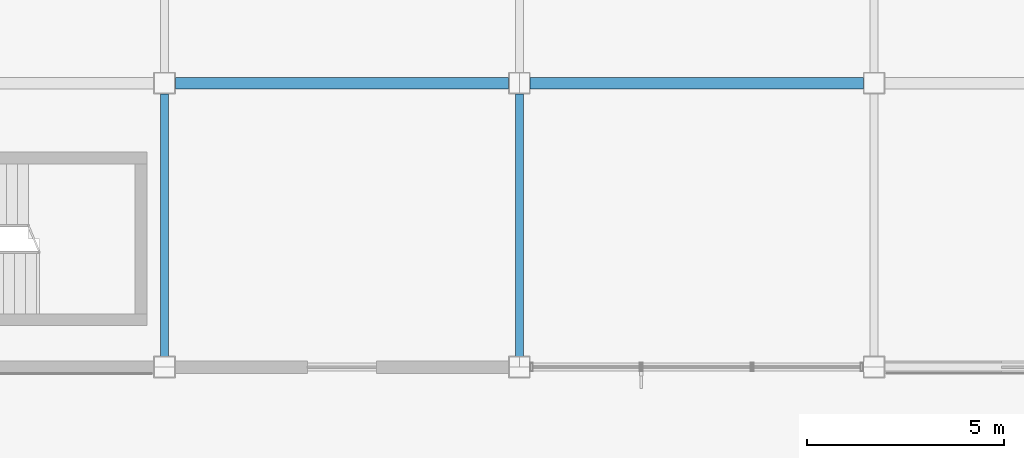
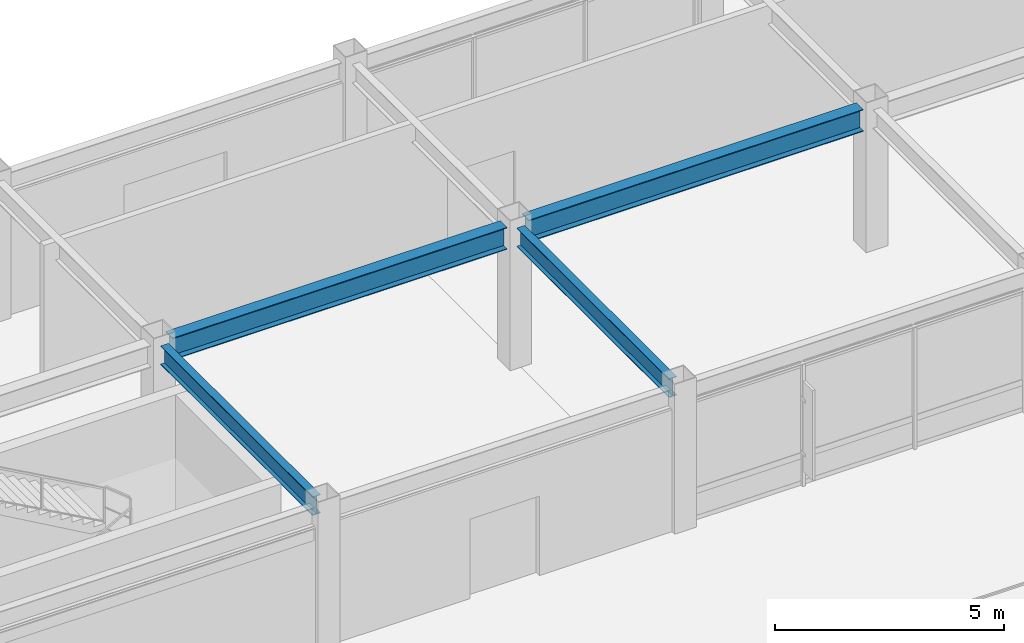
# One storey, part 39 of 122: 4 beams.
"""IFC4 building model written with IfcOpenShell, lengths in metres."""

import ifcopenshell
import ifcopenshell.guid

model = None  # the IFC model being written
_history = None  # IfcOwnerHistory: only IFC2X3 demands one
_inside = {}  # id of a spatial element -> (the spatial element, [elements in it])
_under = {}  # id of a project, library or spatial element -> (it, [spatial elements below it])
_declared = {}  # id of a project -> (the project, [libraries it declares])
_typed = {}  # id of a type object -> (the type object, [elements of that type])
_made_of = {}  # id of a material, layer set ... -> (it, [elements and type objects made of it])


def new_model(schema):
    """Start an empty IFC model of exactly this schema.

    Asked for "IFC4X3", IfcOpenShell would pick the latest addendum, in which some entities
    have other attributes; the version numbers below select the first issue.
    IFC2X3 requires an IfcOwnerHistory on every rooted entity: one is made here for all.
    """
    global model, _history
    if schema == "IFC4X3":
        model = ifcopenshell.file(schema_version=(4, 3, 0, 0))
    else:
        model = ifcopenshell.file(schema=schema)
    _inside.clear()
    _under.clear()
    _declared.clear()
    _typed.clear()
    _made_of.clear()
    _history = None
    if model.schema == "IFC2X3":
        org = make("IfcOrganization", Name="unknown")
        user = make(
            "IfcPersonAndOrganization",
            ThePerson=make("IfcPerson", FamilyName="unknown"),
            TheOrganization=org,
        )
        app = make(
            "IfcApplication",
            ApplicationDeveloper=org,
            Version="unknown",
            ApplicationFullName="unknown",
            ApplicationIdentifier="unknown",
        )
        _history = make(
            "IfcOwnerHistory",
            OwningUser=user,
            OwningApplication=app,
            ChangeAction="ADDED",
            CreationDate=0,
        )
    return model


def make(cls, **values):
    """One entity of the class cls with the attributes given. An attribute that is None is left unset."""
    return model.create_entity(
        cls, **{name: value for name, value in values.items() if value is not None}
    )


def rooted(cls, **values):
    """An entity with a GlobalId (a new one), such as an element, a storey or a relation."""
    return make(cls, GlobalId=ifcopenshell.guid.new(), OwnerHistory=_history, **values)


def si_unit(unit_type, name, prefix=None):
    """IfcSIUnit, for example si_unit("LENGTHUNIT", "METRE", prefix="MILLI")."""
    return make("IfcSIUnit", UnitType=unit_type, Prefix=prefix, Name=name)


def assignment(units):
    """IfcUnitAssignment: the units of a project."""
    return None if units is None else make("IfcUnitAssignment", Units=units)


def point(xyz):
    """IfcCartesianPoint."""
    return None if xyz is None else make("IfcCartesianPoint", Coordinates=xyz)


def direction(xyz):
    """IfcDirection."""
    return None if xyz is None else make("IfcDirection", DirectionRatios=xyz)


def frame(location, z_axis=None, x_axis=None):
    """IfcAxis2Placement3D, a coordinate frame: its origin and axes. An axis left out is left unset."""
    return make(
        "IfcAxis2Placement3D",
        Location=point(location),
        Axis=direction(z_axis),
        RefDirection=direction(x_axis),
    )


def frame_2d(location, x_axis=None):
    """IfcAxis2Placement2D, a coordinate frame in the plane: its origin and x axis."""
    return make(
        "IfcAxis2Placement2D", Location=point(location), RefDirection=direction(x_axis)
    )


def origin():
    """The frame at (0, 0, 0) with its axes left unset."""
    return frame((0.0, 0.0, 0.0))


def origin_2d():
    """The frame at (0, 0) in the plane with its x axis left unset."""
    return frame_2d((0.0, 0.0))


def place(relative_to, where):
    """IfcLocalPlacement: puts the frame where relative to a parent placement (None: the world)."""
    return make(
        "IfcLocalPlacement", PlacementRelTo=relative_to, RelativePlacement=where
    )


def context(
    kind, dimensions, precision=None, world=None, true_north=None, identifier=None
):
    """IfcGeometricRepresentationContext, for example the 3D "Model" context."""
    return make(
        "IfcGeometricRepresentationContext",
        ContextIdentifier=identifier,
        ContextType=kind,
        CoordinateSpaceDimension=dimensions,
        Precision=precision,
        WorldCoordinateSystem=world,
        TrueNorth=true_north,
    )


def subcontext(parent, identifier, kind, view, scale=None):
    """IfcGeometricRepresentationSubContext, for example "Body" below "Model"."""
    return make(
        "IfcGeometricRepresentationSubContext",
        ContextIdentifier=identifier,
        ContextType=kind,
        ParentContext=parent,
        TargetScale=scale,
        TargetView=view,
    )


def project(units=None, contexts=None):
    """IfcProject with its units and contexts."""
    return rooted(
        "IfcProject",
        Name="project",
        RepresentationContexts=contexts,
        UnitsInContext=assignment(units),
    )


def spatial(cls, under=None, at=None, **own):
    """A site, building, storey or space (cls), placed at a placement, below another one or the project."""
    s = rooted(cls, ObjectPlacement=at, **own)
    if under is not None:
        _under.setdefault(under.id(), (under, []))[1].append(s)
    return s


def profile(cls, at=None, kind="AREA", **sizes):
    """A parametric profile (cls). Its sizes go by their IFC names, for example OverallWidth=200.0."""
    return make(cls, ProfileType=kind, Position=at, **sizes)


def i_section(**sizes):
    """IfcIShapeProfileDef."""
    return profile("IfcIShapeProfileDef", **sizes)


def extrude(swept, where, along, depth):
    """IfcExtrudedAreaSolid: the profile swept, set in the frame where, extruded along a direction by depth."""
    return make(
        "IfcExtrudedAreaSolid",
        SweptArea=swept,
        Position=where,
        ExtrudedDirection=direction(along),
        Depth=depth,
    )


def shape(context_of_items, identifier, shape_type, items):
    """IfcShapeRepresentation: the items that make up one representation, for example the "Body"."""
    return make(
        "IfcShapeRepresentation",
        ContextOfItems=context_of_items,
        RepresentationIdentifier=identifier,
        RepresentationType=shape_type,
        Items=items,
    )


def material(Name=None, Category=None):
    """IfcMaterial."""
    return make("IfcMaterial", Name=Name, Category=Category)


def material_profile(
    of_material, cross_section, Name=None, Category=None, Priority=None
):
    """IfcMaterialProfile: a cross section and its material."""
    return make(
        "IfcMaterialProfile",
        Name=Name,
        Material=of_material,
        Profile=cross_section,
        Priority=Priority,
        Category=Category,
    )


def profile_set(profiles, Name=None, composite=None):
    """IfcMaterialProfileSet."""
    return make(
        "IfcMaterialProfileSet",
        Name=Name,
        MaterialProfiles=profiles,
        CompositeProfile=composite,
    )


def made_of(thing, what):
    """Note that an element or type object is made of a material, layer set ...; save() writes the relation."""
    if what is not None:
        _made_of.setdefault(what.id(), (what, []))[1].append(thing)
    return thing


def type_object(cls, material=None, **own):
    """A type object (cls), such as IfcWallType, which elements share."""
    return made_of(rooted(cls, **own), material)


def element(
    cls,
    number,
    at=None,
    inside=None,
    cuts=None,
    type_object=None,
    material=None,
    context=None,
    identifier="Body",
    shape_type=None,
    held_by="IfcProductDefinitionShape",
    body=None,
    shapes=None,
    **own,
):
    """One element of the class cls, such as IfcWall. Its Tag is "e" and its number.

    at: its placement. inside: the storey or other place that contains it. cuts: it is an
    opening in that element (IfcRelVoidsElement). A single representation is given by context,
    identifier, shape_type and body (its items); several are given by shapes. held_by: the class
    of the entity that holds the representations. save() writes the other relations.
    """
    e = rooted(cls, Tag="e%d" % number, ObjectPlacement=at, **own)
    if body is not None:
        shapes = [shape(context, identifier, shape_type, body)]
    if shapes is not None:
        e.Representation = make(held_by, Representations=shapes)
    if inside is not None:
        _inside.setdefault(inside.id(), (inside, []))[1].append(e)
    if cuts is not None:
        rooted(
            "IfcRelVoidsElement", RelatingBuildingElement=cuts, RelatedOpeningElement=e
        )
    if type_object is not None:
        _typed.setdefault(type_object.id(), (type_object, []))[1].append(e)
    return made_of(e, material)


def aggregate(whole, parts):
    """IfcRelAggregates: a whole, such as a stair, and the parts it consists of."""
    return rooted("IfcRelAggregates", RelatingObject=whole, RelatedObjects=parts)


def save(model, path):
    """Write the relations noted so far, then the file.

    IfcRelAggregates (storeys below a building ...), IfcRelContainedInSpatialStructure (elements
    in a storey), IfcRelDefinesByType, IfcRelAssociatesMaterial and IfcRelDeclares: one each for
    every whole, place, type object, material and project.
    """
    for whole, parts in _under.values():
        aggregate(whole, parts)
    for where, things in _inside.values():
        rooted(
            "IfcRelContainedInSpatialStructure",
            RelatedElements=things,
            RelatingStructure=where,
        )
    for kind, things in _typed.values():
        rooted("IfcRelDefinesByType", RelatedObjects=things, RelatingType=kind)
    for what, things in _made_of.values():
        rooted("IfcRelAssociatesMaterial", RelatedObjects=things, RelatingMaterial=what)
    for by, libraries in _declared.values():
        rooted("IfcRelDeclares", RelatingContext=by, RelatedDefinitions=libraries)
    model.write(path)


model = new_model("IFC4")

# Units and contexts
model_context = context("Model", 3, precision=1e-05, world=origin(), true_north=direction((0.0, 1.0)))
body_context = subcontext(model_context, "Body", "Model", "MODEL_VIEW")
ifc_project = project(units=[si_unit("LENGTHUNIT", "METRE"), si_unit("AREAUNIT", "SQUARE_METRE"), si_unit("VOLUMEUNIT", "CUBIC_METRE"), si_unit("PLANEANGLEUNIT", "RADIAN"), si_unit("MASSUNIT", "GRAM", prefix="KILO")], contexts=[model_context])

# Site, building, storey
site_placement = place(None, origin())
site = spatial("IfcSite", under=ifc_project, at=site_placement, CompositionType="ELEMENT")
building_placement = place(site_placement, origin())
building = spatial("IfcBuilding", under=site, at=building_placement, Name="Kazanami Central Library", CompositionType="ELEMENT")
storey_placement = place(building_placement, frame((0.0, 0.0, 4.800048828125)))
storey = spatial("IfcBuildingStorey", under=building, at=storey_placement, Name="L02", CompositionType="ELEMENT", Elevation=4.800048828125)

# Beams
ifc_material = material(Name="Steel SN490B (325 MPa)", Category="steel")
ifc_material_profile_1 = material_profile(ifc_material, i_section(OverallWidth=0.300048828125, OverallDepth=0.587890625, WebThickness=0.011962890625, FlangeThickness=0.02001953125, at=origin_2d()), Name="H-588x300x12x20")
ifc_profile_set_1 = profile_set([ifc_material_profile_1], Name="Steel SN490B (325 MPa)")
beam_type_1 = type_object("IfcBeamType", Name="BM-G-X2", PredefinedType="BEAM", material=ifc_profile_set_1)
for number, where, z_axis, x_axis, name in (
    (1, (81.27294921875, 28.800048828125, 3.4609375), (1.0, 0.0, 0.0), (0.0, 1.0, 0.0), "Girder G-X2 L02 E/10-11"),
    (2, (90.27294921875, 28.800048828125, 3.4609375), (1.0, 0.0, 0.0), (0.0, 1.0, 0.0), "Girder G-X2 L02 E/11-12"),
):
    element("IfcBeam", number, at=place(storey_placement, frame(where, z_axis=z_axis, x_axis=x_axis)), inside=storey, type_object=beam_type_1, Name=name, PredefinedType="BEAM", context=body_context, shape_type="SweptSolid", body=[
        extrude(i_section(OverallWidth=0.300048828125, OverallDepth=0.587890625, WebThickness=0.011962890625, FlangeThickness=0.02001953125, at=origin_2d()), origin(), (0.0, 0.0, 1.0), 8.4541015625),
    ])
ifc_material_profile_2 = material_profile(ifc_material, i_section(OverallWidth=0.199951171875, OverallDepth=0.5, WebThickness=0.010009765625, FlangeThickness=0.01611328125, at=origin_2d()), Name="H-500x200x10x16")
ifc_profile_set_2 = profile_set([ifc_material_profile_2], Name="Steel SN490B (325 MPa)")
beam_type_2 = type_object("IfcBeamType", Name="BM-G-Y2", PredefinedType="BEAM", material=ifc_profile_set_2)
for number, where, z_axis, x_axis, name in (
    (3, (81.0, 21.873046875, 3.5048828125), (0.0, 1.0, 0.0), (-1.0, 0.0, 0.0), "Girder G-Y2 L02 10/D-E"),
    (4, (90.0, 21.873046875, 3.5048828125), (0.0, 1.0, 0.0), (-1.0, 0.0, 0.0), "Girder G-Y2 L02 11/D-E"),
):
    element("IfcBeam", number, at=place(storey_placement, frame(where, z_axis=z_axis, x_axis=x_axis)), inside=storey, type_object=beam_type_2, Name=name, PredefinedType="BEAM", context=body_context, shape_type="SweptSolid", body=[
        extrude(i_section(OverallWidth=0.199951171875, OverallDepth=0.5, WebThickness=0.010009765625, FlangeThickness=0.01611328125, at=origin_2d()), origin(), (0.0, 0.0, 1.0), 6.654052734375),
    ])

save(model, "model.ifc")
